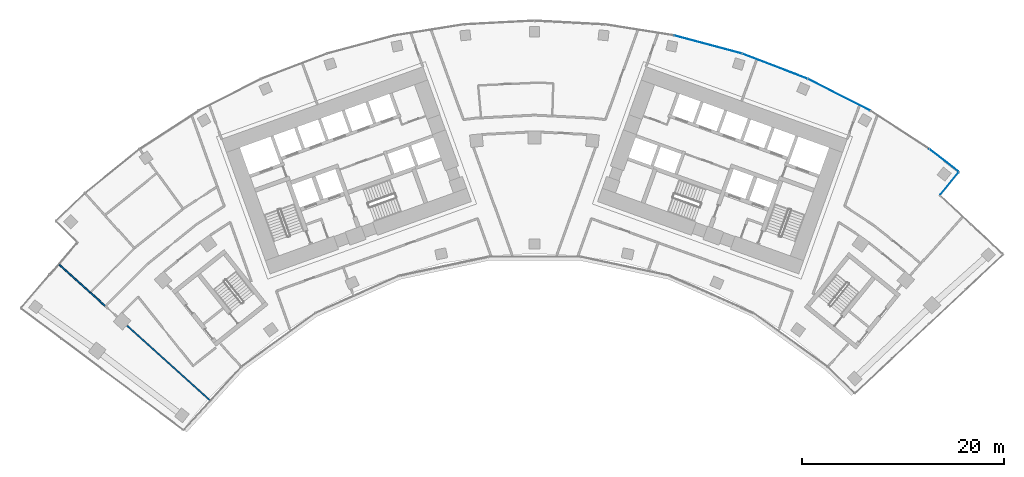
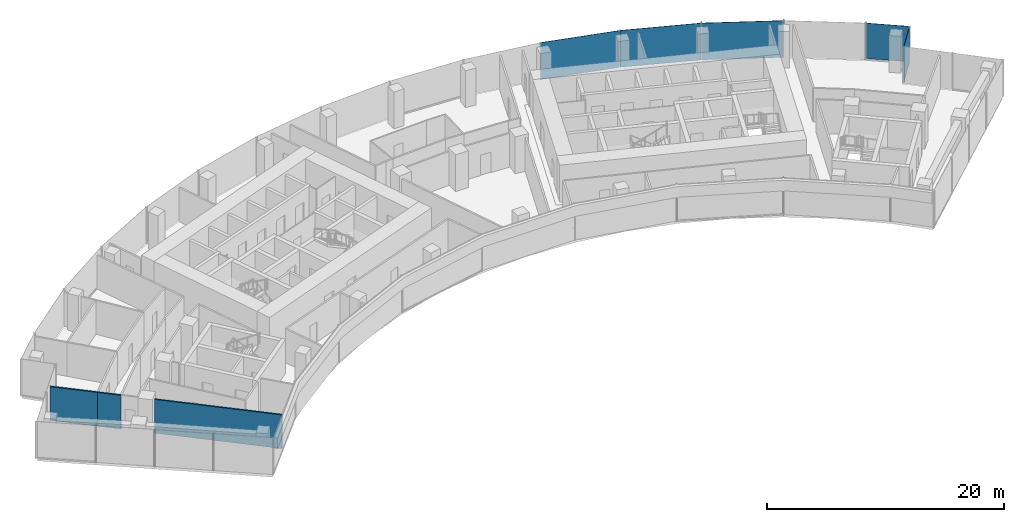
# One storey, part 12 of 20: 5 plates, 3 walls, 2 elements without a shape of their own.
"""IFC4 building model written with IfcOpenShell, lengths in metres."""

from ifc_helpers import new_model, si_unit, direction, frame, frame_2d, origin, origin_2d, place, context, subcontext, project, spatial, rectangle, extrude, material, layer, layer_set, type_object, element, aggregate, save


model = new_model("IFC4")

# Units and contexts
model_context = context("Model", 3, precision=1e-05, world=origin(), true_north=direction((0.0, 1.0)))
body_context = subcontext(model_context, "Body", "Model", "MODEL_VIEW")
ifc_project = project(units=[si_unit("LENGTHUNIT", "METRE"), si_unit("AREAUNIT", "SQUARE_METRE"), si_unit("VOLUMEUNIT", "CUBIC_METRE"), si_unit("PLANEANGLEUNIT", "RADIAN"), si_unit("MASSUNIT", "GRAM", prefix="KILO")], contexts=[model_context])

# Site, building, storey
site_placement = place(None, origin())
site = spatial("IfcSite", under=ifc_project, at=site_placement, CompositionType="ELEMENT")
building_placement = place(site_placement, origin())
building = spatial("IfcBuilding", under=site, at=building_placement, Name="Stone Belt Terrace Tower", CompositionType="ELEMENT")
storey_placement = place(building_placement, frame((0.0, 0.0, 185.800048828125)))
storey = spatial("IfcBuildingStorey", under=building, at=storey_placement, Name="L45", CompositionType="ELEMENT", Elevation=185.800048828125)

# Curtain wall, plates
ifc_material_1 = material(Name="Aluminium 6063-T6 anodised frame", Category="aluminium")
ifc_layer_1 = layer(ifc_material_1, 0.14990234375)
ifc_layer_set_1 = layer_set([ifc_layer_1], Name="CW-A unitised convex-face curtain wall")
curtain_wall_type_1 = type_object("IfcCurtainWallType", Name="CW-A unitised convex-face curtain wall", PredefinedType="NOTDEFINED", material=ifc_layer_set_1)
curtain_wall_1_placement = place(storey_placement, origin())
curtain_wall_1 = element("IfcCurtainWall", 1, at=curtain_wall_1_placement, inside=storey, type_object=curtain_wall_type_1, Name="CW-A convex face L45", PredefinedType="NOTDEFINED")
ifc_material_2 = material(Name="Clear double glazed unit")
ifc_layer_2 = layer(ifc_material_2, 0.031982421875)
ifc_layer_set_2 = layer_set([ifc_layer_2], Name="CW-A glass panel 32")
plate_type_1 = type_object("IfcPlateType", Name="CW-A glass panel 32", PredefinedType="CURTAIN_PANEL", material=ifc_layer_set_2)
plate_1_placement = place(storey_placement, frame((40.583251953125, 52.744140625, 0.14013671875), z_axis=(0.0, 0.0, 1.0), x_axis=(-0.792693871824, 0.60961990254, 0.0)))
plate_1 = element("IfcPlate", 2, at=plate_1_placement, type_object=plate_type_1, Name="CW-A panel 1.1", PredefinedType="CURTAIN_PANEL", context=body_context, shape_type="SweptSolid", body=[
    extrude(rectangle(XDim=3.597900390625, YDim=0.031982421875, at=origin_2d()), origin(), (0.0, 0.0, 1.0), 3.659912109375),
])
plate_2_placement = place(storey_placement, frame((30.18310546875, 59.237548828125, 0.0), z_axis=(0.0, 0.0, 1.0), x_axis=(-0.891006524188, 0.45399049974, 0.0)))
plate_2 = element("IfcPlate", 3, at=plate_2_placement, type_object=plate_type_1, Name="CW-A panel 3.1", PredefinedType="CURTAIN_PANEL", context=body_context, shape_type="SweptSolid", body=[
    extrude(rectangle(XDim=6.90087890625, YDim=0.031982421875, at=origin_2d()), origin(), (0.0, 0.0, 1.0), 3.800048828125),
])
plate_3_placement = place(storey_placement, frame((23.82568359375, 62.068115234375, 0.0), z_axis=(0.0, 0.0, 1.0), x_axis=(-0.933580426497, 0.358367949545, 0.0)))
plate_3 = element("IfcPlate", 4, at=plate_3_placement, type_object=plate_type_1, Name="CW-A panel 4.1", PredefinedType="CURTAIN_PANEL", context=body_context, shape_type="SweptSolid", body=[
    extrude(rectangle(XDim=6.90087890625, YDim=0.031982421875, at=origin_2d()), origin(), (0.0, 0.0, 1.0), 3.800048828125),
])
plate_4_placement = place(storey_placement, frame((17.207275390625, 64.218505859375, 0.0), z_axis=(0.0, 0.0, 1.0), x_axis=(-0.965925826289, 0.258819045103, 0.0)))
plate_4 = element("IfcPlate", 5, at=plate_4_placement, type_object=plate_type_1, Name="CW-A panel 5.1", PredefinedType="CURTAIN_PANEL", context=body_context, shape_type="SweptSolid", body=[
    extrude(rectangle(XDim=6.90087890625, YDim=0.031982421875, at=origin_2d()), origin(), (0.0, 0.0, 1.0), 3.800048828125),
])
aggregate(curtain_wall_1, [plate_1, plate_2, plate_3, plate_4])

# Curtain wall, plate
ifc_layer_3 = layer(ifc_material_1, 0.14990234375)
ifc_layer_set_3 = layer_set([ifc_layer_3], Name="CW-C stick curtain wall, horn ends and notches")
curtain_wall_type_2 = type_object("IfcCurtainWallType", Name="CW-C stick curtain wall, horn ends and notches", PredefinedType="NOTDEFINED", material=ifc_layer_set_3)
curtain_wall_2_placement = place(storey_placement, origin())
curtain_wall_2 = element("IfcCurtainWall", 6, at=curtain_wall_2_placement, inside=storey, type_object=curtain_wall_type_2, Name="CW-C notch face L45", PredefinedType="NOTDEFINED")
ifc_layer_4 = layer(ifc_material_2, 0.028076171875)
ifc_layer_set_4 = layer_set([ifc_layer_4], Name="CW-C glass panel 28")
plate_type_2 = type_object("IfcPlateType", Name="CW-C glass panel 28", PredefinedType="CURTAIN_PANEL", material=ifc_layer_set_4)
plate_5_placement = place(storey_placement, frame((41.119140625, 50.43505859375, 0.1201171875), z_axis=(0.0, 0.0, 1.0), x_axis=(0.631001485542, 0.775781622136, 0.0)))
plate_5 = element("IfcPlate", 7, at=plate_5_placement, type_object=plate_type_2, Name="CW-C panel 1.1", PredefinedType="CURTAIN_PANEL", context=body_context, shape_type="SweptSolid", body=[
    extrude(rectangle(XDim=2.859130859375, YDim=0.028076171875, at=origin_2d()), origin(), (0.0, 0.0, 1.0), 3.679931640625),
])
aggregate(curtain_wall_2, [plate_5])

# Walls
ifc_material_3 = material(Name="Gypsum board partition")
ifc_layer_5 = layer(ifc_material_3, 0.14990234375)
ifc_layer_set_5 = layer_set([ifc_layer_5], Name="PARTITION 150 EI 60")
wall_type = type_object("IfcWallType", Name="PARTITION 150 EI 60", PredefinedType="PARTITIONING", material=ifc_layer_set_5)
wall_1_placement = place(storey_placement, frame((-40.385986328125, 36.3642578125, 0.0), z_axis=(0.0, 0.0, 1.0), x_axis=(0.743128216334, -0.669149052221, 0.0)))
element("IfcWall", 8, at=wall_1_placement, inside=storey, type_object=wall_type, Name="L45/wall/i030", PredefinedType="PARTITIONING", context=body_context, shape_type="SweptSolid", body=[
    extrude(rectangle(XDim=11.048828125, YDim=0.14990234375, at=frame_2d((5.5244140625, 0.0))), origin(), (0.0, 0.0, 1.0), 3.47998046875),
])
wall_2_placement = place(storey_placement, frame((-44.032958984375, 39.64892578125, 0.0), z_axis=(0.0, 0.0, 1.0), x_axis=(0.742822489991, -0.669488422875, 0.0)))
element("IfcWall", 9, at=wall_2_placement, inside=storey, type_object=wall_type, Name="L45/wall/i031", PredefinedType="PARTITIONING", context=body_context, shape_type="SweptSolid", body=[
    extrude(rectangle(XDim=2.0341796875, YDim=0.14990234375, at=frame_2d((1.01708984375, 0.0))), origin(), (0.0, 0.0, 1.0), 3.47998046875),
])
wall_3_placement = place(storey_placement, frame((-47.09228515625, 42.40283203125, 0.0), z_axis=(0.0, 0.0, 1.0), x_axis=(0.743164720572, -0.669108509958, 0.0)))
element("IfcWall", 10, at=wall_3_placement, inside=storey, type_object=wall_type, Name="L45/wall/i032", PredefinedType="PARTITIONING", context=body_context, shape_type="SweptSolid", body=[
    extrude(rectangle(XDim=4.12744140625, YDim=0.14990234375, at=frame_2d((2.063720703125, 0.0))), origin(), (0.0, 0.0, 1.0), 3.47998046875),
])

save(model, "model.ifc")
